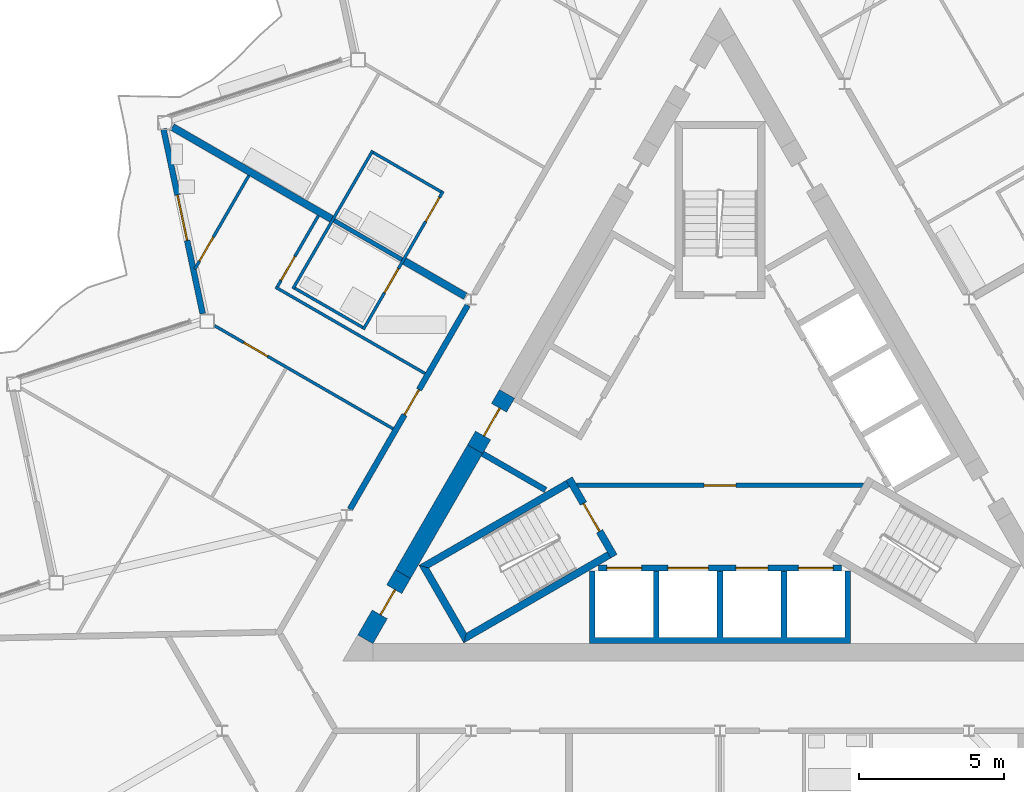
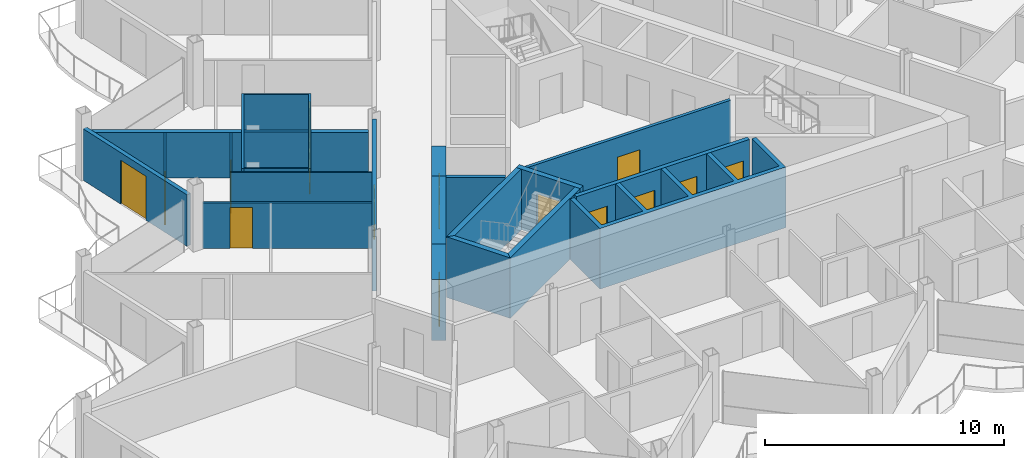
# One storey, part 13 of 25: 24 walls, 15 doors, 15 openings.
"""IFC4 building model written with IfcOpenShell, lengths in metres."""

import ifcopenshell
import ifcopenshell.guid

model = None  # the IFC model being written
_history = None  # IfcOwnerHistory: only IFC2X3 demands one
_inside = {}  # id of a spatial element -> (the spatial element, [elements in it])
_under = {}  # id of a project, library or spatial element -> (it, [spatial elements below it])
_declared = {}  # id of a project -> (the project, [libraries it declares])
_typed = {}  # id of a type object -> (the type object, [elements of that type])
_made_of = {}  # id of a material, layer set ... -> (it, [elements and type objects made of it])


def new_model(schema):
    """Start an empty IFC model of exactly this schema.

    Asked for "IFC4X3", IfcOpenShell would pick the latest addendum, in which some entities
    have other attributes; the version numbers below select the first issue.
    IFC2X3 requires an IfcOwnerHistory on every rooted entity: one is made here for all.
    """
    global model, _history
    if schema == "IFC4X3":
        model = ifcopenshell.file(schema_version=(4, 3, 0, 0))
    else:
        model = ifcopenshell.file(schema=schema)
    _inside.clear()
    _under.clear()
    _declared.clear()
    _typed.clear()
    _made_of.clear()
    _history = None
    if model.schema == "IFC2X3":
        org = make("IfcOrganization", Name="unknown")
        user = make(
            "IfcPersonAndOrganization",
            ThePerson=make("IfcPerson", FamilyName="unknown"),
            TheOrganization=org,
        )
        app = make(
            "IfcApplication",
            ApplicationDeveloper=org,
            Version="unknown",
            ApplicationFullName="unknown",
            ApplicationIdentifier="unknown",
        )
        _history = make(
            "IfcOwnerHistory",
            OwningUser=user,
            OwningApplication=app,
            ChangeAction="ADDED",
            CreationDate=0,
        )
    return model


def make(cls, **values):
    """One entity of the class cls with the attributes given. An attribute that is None is left unset."""
    return model.create_entity(
        cls, **{name: value for name, value in values.items() if value is not None}
    )


def rooted(cls, **values):
    """An entity with a GlobalId (a new one), such as an element, a storey or a relation."""
    return make(cls, GlobalId=ifcopenshell.guid.new(), OwnerHistory=_history, **values)


def si_unit(unit_type, name, prefix=None):
    """IfcSIUnit, for example si_unit("LENGTHUNIT", "METRE", prefix="MILLI")."""
    return make("IfcSIUnit", UnitType=unit_type, Prefix=prefix, Name=name)


def assignment(units):
    """IfcUnitAssignment: the units of a project."""
    return None if units is None else make("IfcUnitAssignment", Units=units)


def point(xyz):
    """IfcCartesianPoint."""
    return None if xyz is None else make("IfcCartesianPoint", Coordinates=xyz)


def direction(xyz):
    """IfcDirection."""
    return None if xyz is None else make("IfcDirection", DirectionRatios=xyz)


def frame(location, z_axis=None, x_axis=None):
    """IfcAxis2Placement3D, a coordinate frame: its origin and axes. An axis left out is left unset."""
    return make(
        "IfcAxis2Placement3D",
        Location=point(location),
        Axis=direction(z_axis),
        RefDirection=direction(x_axis),
    )


def frame_2d(location, x_axis=None):
    """IfcAxis2Placement2D, a coordinate frame in the plane: its origin and x axis."""
    return make(
        "IfcAxis2Placement2D", Location=point(location), RefDirection=direction(x_axis)
    )


def origin():
    """The frame at (0, 0, 0) with its axes left unset."""
    return frame((0.0, 0.0, 0.0))


def place(relative_to, where):
    """IfcLocalPlacement: puts the frame where relative to a parent placement (None: the world)."""
    return make(
        "IfcLocalPlacement", PlacementRelTo=relative_to, RelativePlacement=where
    )


def context(
    kind, dimensions, precision=None, world=None, true_north=None, identifier=None
):
    """IfcGeometricRepresentationContext, for example the 3D "Model" context."""
    return make(
        "IfcGeometricRepresentationContext",
        ContextIdentifier=identifier,
        ContextType=kind,
        CoordinateSpaceDimension=dimensions,
        Precision=precision,
        WorldCoordinateSystem=world,
        TrueNorth=true_north,
    )


def subcontext(parent, identifier, kind, view, scale=None):
    """IfcGeometricRepresentationSubContext, for example "Body" below "Model"."""
    return make(
        "IfcGeometricRepresentationSubContext",
        ContextIdentifier=identifier,
        ContextType=kind,
        ParentContext=parent,
        TargetScale=scale,
        TargetView=view,
    )


def project(units=None, contexts=None):
    """IfcProject with its units and contexts."""
    return rooted(
        "IfcProject",
        Name="project",
        RepresentationContexts=contexts,
        UnitsInContext=assignment(units),
    )


def spatial(cls, under=None, at=None, **own):
    """A site, building, storey or space (cls), placed at a placement, below another one or the project."""
    s = rooted(cls, ObjectPlacement=at, **own)
    if under is not None:
        _under.setdefault(under.id(), (under, []))[1].append(s)
    return s


def polyline(points):
    """IfcPolyline through the points."""
    return make("IfcPolyline", Points=[point(p) for p in points])


def profile(cls, at=None, kind="AREA", **sizes):
    """A parametric profile (cls). Its sizes go by their IFC names, for example OverallWidth=200.0."""
    return make(cls, ProfileType=kind, Position=at, **sizes)


def rectangle(**sizes):
    """IfcRectangleProfileDef."""
    return profile("IfcRectangleProfileDef", **sizes)


def outline(outer, holes=None, kind="AREA"):
    """IfcArbitraryClosedProfileDef: a profile drawn as a closed curve; with holes, ...WithVoids."""
    if holes is None:
        return make("IfcArbitraryClosedProfileDef", ProfileType=kind, OuterCurve=outer)
    return make(
        "IfcArbitraryProfileDefWithVoids",
        ProfileType=kind,
        OuterCurve=outer,
        InnerCurves=holes,
    )


def extrude(swept, where, along, depth):
    """IfcExtrudedAreaSolid: the profile swept, set in the frame where, extruded along a direction by depth."""
    return make(
        "IfcExtrudedAreaSolid",
        SweptArea=swept,
        Position=where,
        ExtrudedDirection=direction(along),
        Depth=depth,
    )


def shape(context_of_items, identifier, shape_type, items):
    """IfcShapeRepresentation: the items that make up one representation, for example the "Body"."""
    return make(
        "IfcShapeRepresentation",
        ContextOfItems=context_of_items,
        RepresentationIdentifier=identifier,
        RepresentationType=shape_type,
        Items=items,
    )


def material(Name=None, Category=None):
    """IfcMaterial."""
    return make("IfcMaterial", Name=Name, Category=Category)


def layer(
    of_material, thickness, ventilated=None, Name=None, Category=None, Priority=None
):
    """IfcMaterialLayer: one layer of a wall or slab, of a material (None: an air gap)."""
    return make(
        "IfcMaterialLayer",
        Material=of_material,
        LayerThickness=thickness,
        IsVentilated=ventilated,
        Name=Name,
        Category=Category,
        Priority=Priority,
    )


def layer_set(layers, Name=None):
    """IfcMaterialLayerSet."""
    return make("IfcMaterialLayerSet", MaterialLayers=layers, LayerSetName=Name)


def made_of(thing, what):
    """Note that an element or type object is made of a material, layer set ...; save() writes the relation."""
    if what is not None:
        _made_of.setdefault(what.id(), (what, []))[1].append(thing)
    return thing


def type_object(cls, material=None, **own):
    """A type object (cls), such as IfcWallType, which elements share."""
    return made_of(rooted(cls, **own), material)


def element(
    cls,
    number,
    at=None,
    inside=None,
    cuts=None,
    type_object=None,
    material=None,
    context=None,
    identifier="Body",
    shape_type=None,
    held_by="IfcProductDefinitionShape",
    body=None,
    shapes=None,
    **own,
):
    """One element of the class cls, such as IfcWall. Its Tag is "e" and its number.

    at: its placement. inside: the storey or other place that contains it. cuts: it is an
    opening in that element (IfcRelVoidsElement). A single representation is given by context,
    identifier, shape_type and body (its items); several are given by shapes. held_by: the class
    of the entity that holds the representations. save() writes the other relations.
    """
    e = rooted(cls, Tag="e%d" % number, ObjectPlacement=at, **own)
    if body is not None:
        shapes = [shape(context, identifier, shape_type, body)]
    if shapes is not None:
        e.Representation = make(held_by, Representations=shapes)
    if inside is not None:
        _inside.setdefault(inside.id(), (inside, []))[1].append(e)
    if cuts is not None:
        rooted(
            "IfcRelVoidsElement", RelatingBuildingElement=cuts, RelatedOpeningElement=e
        )
    if type_object is not None:
        _typed.setdefault(type_object.id(), (type_object, []))[1].append(e)
    return made_of(e, material)


def fill(opening, filler):
    """IfcRelFillsElement: the door or window that sits in an opening."""
    return rooted(
        "IfcRelFillsElement",
        RelatingOpeningElement=opening,
        RelatedBuildingElement=filler,
    )


def aggregate(whole, parts):
    """IfcRelAggregates: a whole, such as a stair, and the parts it consists of."""
    return rooted("IfcRelAggregates", RelatingObject=whole, RelatedObjects=parts)


def save(model, path):
    """Write the relations noted so far, then the file.

    IfcRelAggregates (storeys below a building ...), IfcRelContainedInSpatialStructure (elements
    in a storey), IfcRelDefinesByType, IfcRelAssociatesMaterial and IfcRelDeclares: one each for
    every whole, place, type object, material and project.
    """
    for whole, parts in _under.values():
        aggregate(whole, parts)
    for where, things in _inside.values():
        rooted(
            "IfcRelContainedInSpatialStructure",
            RelatedElements=things,
            RelatingStructure=where,
        )
    for kind, things in _typed.values():
        rooted("IfcRelDefinesByType", RelatedObjects=things, RelatingType=kind)
    for what, things in _made_of.values():
        rooted("IfcRelAssociatesMaterial", RelatedObjects=things, RelatingMaterial=what)
    for by, libraries in _declared.values():
        rooted("IfcRelDeclares", RelatingContext=by, RelatedDefinitions=libraries)
    model.write(path)


model = new_model("IFC4")

# Units and contexts
model_context = context("Model", 3, precision=1e-05, world=origin(), true_north=direction((0.0, 1.0)))
body_context = subcontext(model_context, "Body", "Model", "MODEL_VIEW")
ifc_project = project(units=[si_unit("LENGTHUNIT", "METRE"), si_unit("AREAUNIT", "SQUARE_METRE"), si_unit("VOLUMEUNIT", "CUBIC_METRE"), si_unit("PLANEANGLEUNIT", "RADIAN"), si_unit("MASSUNIT", "GRAM", prefix="KILO")], contexts=[model_context])

# Site, building, storey
site_placement = place(None, origin())
site = spatial("IfcSite", under=ifc_project, at=site_placement, CompositionType="ELEMENT")
building_placement = place(site_placement, origin())
building = spatial("IfcBuilding", under=site, at=building_placement, Name="Cormorant Prow Tower", CompositionType="ELEMENT")
storey_placement = place(building_placement, frame((0.0, 0.0, 395.0)))
storey = spatial("IfcBuildingStorey", under=building, at=storey_placement, Name="L90", CompositionType="ELEMENT", Elevation=395.0)

# Wall, opening, door
ifc_material_1 = material(Name="Gypsum board partition")
ifc_layer_1 = layer(ifc_material_1, 0.14990234375)
ifc_layer_set_1 = layer_set([ifc_layer_1], Name="Gypsum board partition")
wall_type_1 = type_object("IfcWallType", Name="Core partition 150", PredefinedType="PARTITIONING", material=ifc_layer_set_1)
wall_1_placement = place(storey_placement, frame((-4.941162109375, -1.449951171875, 0.0), z_axis=(0.0, 0.0, 1.0), x_axis=(1.0, 0.0, 0.0)))
wall_1 = element("IfcWall", 1, at=wall_1_placement, inside=storey, type_object=wall_type_1, Name="Firefighting lobby partition", PredefinedType="PARTITIONING", context=body_context, shape_type="SweptSolid", body=[
    extrude(rectangle(XDim=9.88232421875, YDim=0.14990234375, at=frame_2d((4.941162109375, 0.0))), origin(), (0.0, 0.0, 1.0), 3.10009765625),
])
opening_1_placement = place(wall_1_placement, frame((4.39111328125, 0.0, 0.0)))
opening_1 = element("IfcOpeningElement", 2, at=opening_1_placement, cuts=wall_1, Name="Opening L90-C11", PredefinedType="OPENING", context=body_context, shape_type="SweptSolid", body=[
    extrude(rectangle(XDim=1.10009765625, YDim=2.10009765625, at=frame_2d((0.550048828125, 1.050048828125))), frame((0.0, 0.0849609375, 0.0), z_axis=(0.0, -1.0, 0.0), x_axis=(1.0, 0.0, 0.0)), (0.0, 0.0, 1.0), 0.169921875),
])
ifc_material_2 = material(Name="Painted steel", Category="steel")
door_type_1 = type_object("IfcDoorType", Name="Firefighting lobby door 1100x2100", OperationType="NOTDEFINED", PredefinedType="DOOR", material=ifc_material_2)
door_1_placement = place(opening_1_placement, origin())
door_1 = element("IfcDoor", 3, at=door_1_placement, inside=storey, type_object=door_type_1, Name="Firefighting lobby door", OperationType="SINGLE_SWING_RIGHT", OverallHeight=2.10009765625, OverallWidth=1.10009765625, PredefinedType="DOOR", context=body_context, shape_type="SweptSolid", body=[
    extrude(rectangle(XDim=1.10009765625, YDim=2.10009765625, at=frame_2d((0.550048828125, 1.050048828125))), frame((0.0, 0.02490234375, 0.0), z_axis=(0.0, -1.0, 0.0), x_axis=(1.0, 0.0, 0.0)), (0.0, 0.0, 1.0), 0.050048828125),
])
fill(opening_1, door_1)

# Wall
ifc_material_3 = material(Name="Concrete 8000 psi", Category="concrete")
ifc_layer_2 = layer(ifc_material_3, 0.60009765625)
ifc_layer_set_2 = layer_set([ifc_layer_2], Name="Concrete 8000 psi")
wall_type_2 = type_object("IfcWallType", Name="Core shear wall 600", PredefinedType="SHEAR", material=ifc_layer_set_2)
wall_2_placement = place(storey_placement, frame((-8.440185546875, -0.207763671875, 0.0), z_axis=(0.0, 0.0, 1.0), x_axis=(-0.500007425856, -0.866021116422, 0.0)))
element("IfcWall", 4, at=wall_2_placement, inside=storey, type_object=wall_type_2, Name="Core wall", PredefinedType="SHEAR", context=body_context, shape_type="SweptSolid", body=[
    extrude(rectangle(XDim=4.96875, YDim=0.60009765625, at=frame_2d((2.484375, 0.0))), origin(), (0.0, 0.0, 1.0), 3.10009765625),
])

# Wall, opening, door
wall_3_placement = place(storey_placement, frame((-10.924560546875, -4.5107421875, 0.0), z_axis=(0.0, 0.0, 1.0), x_axis=(-0.500018667571, -0.866014625789, 0.0)))
wall_3 = element("IfcWall", 5, at=wall_3_placement, inside=storey, type_object=wall_type_2, Name="Core wall door panel", PredefinedType="SHEAR", context=body_context, shape_type="SweptSolid", body=[
    extrude(rectangle(XDim=2.59228515625, YDim=0.60009765625, at=frame_2d((1.296142578125, 0.0))), origin(), (0.0, 0.0, 1.0), 3.10009765625),
])
opening_2_placement = place(wall_3_placement, frame((0.60009765625, 0.0, 0.0)))
opening_2 = element("IfcOpeningElement", 6, at=opening_2_placement, cuts=wall_3, Name="Opening L90-C15", PredefinedType="OPENING", context=body_context, shape_type="SweptSolid", body=[
    extrude(rectangle(XDim=1.0, YDim=2.10009765625, at=frame_2d((0.5, 1.050048828125))), frame((0.0, 0.31005859375, 0.0), z_axis=(0.0, -1.0, 0.0), x_axis=(1.0, 0.0, 0.0)), (0.0, 0.0, 1.0), 0.6201171875),
])
ifc_material_4 = material(Name="Painted steel", Category="steel")
door_type_2 = type_object("IfcDoorType", Name="Service door 1000x2100", OperationType="NOTDEFINED", PredefinedType="DOOR", material=ifc_material_4)
door_2_placement = place(opening_2_placement, origin())
door_2 = element("IfcDoor", 7, at=door_2_placement, inside=storey, type_object=door_type_2, Name="Core door, Electrical room", OperationType="SINGLE_SWING_RIGHT", OverallHeight=2.10009765625, OverallWidth=1.0, PredefinedType="DOOR", context=body_context, shape_type="SweptSolid", body=[
    extrude(rectangle(XDim=1.0, YDim=2.10009765625, at=frame_2d((0.5, 1.050048828125))), frame((0.0, 0.05517578125, 0.0), z_axis=(0.0, -1.0, 0.0), x_axis=(1.0, 0.0, 0.0)), (0.0, 0.0, 1.0), 0.050048828125),
])
fill(opening_2, door_2)

wall_4_placement = place(storey_placement, frame((-7.340087890625, 1.697509765625, 0.0), z_axis=(0.0, 0.0, 1.0), x_axis=(-0.50002983664, -0.866008176907, 0.0)))
wall_4 = element("IfcWall", 8, at=wall_4_placement, inside=storey, type_object=wall_type_2, Name="Core wall door panel", PredefinedType="SHEAR", context=body_context, shape_type="SweptSolid", body=[
    extrude(rectangle(XDim=2.199951171875, YDim=0.60009765625, at=frame_2d((1.10009765625, 0.0))), origin(), (0.0, 0.0, 1.0), 3.10009765625),
])
opening_3_placement = place(wall_4_placement, frame((0.550048828125, 0.0, 0.0)))
opening_3 = element("IfcOpeningElement", 9, at=opening_3_placement, cuts=wall_4, Name="Opening L90-C20", PredefinedType="OPENING", context=body_context, shape_type="SweptSolid", body=[
    extrude(rectangle(XDim=1.10009765625, YDim=2.10009765625, at=frame_2d((0.550048828125, 1.050048828125))), frame((0.0, 0.31005859375, 0.0), z_axis=(0.0, -1.0, 0.0), x_axis=(1.0, 0.0, 0.0)), (0.0, 0.0, 1.0), 0.6201171875),
])
ifc_material_5 = material(Name="Painted steel", Category="steel")
door_type_3 = type_object("IfcDoorType", Name="Core door 1100x2100", OperationType="NOTDEFINED", PredefinedType="DOOR", material=ifc_material_5)
door_3_placement = place(opening_3_placement, origin())
door_3 = element("IfcDoor", 10, at=door_3_placement, inside=storey, type_object=door_type_3, Name="Core door, lift lobby", OperationType="SINGLE_SWING_RIGHT", OverallHeight=2.10009765625, OverallWidth=1.10009765625, PredefinedType="DOOR", context=body_context, shape_type="SweptSolid", body=[
    extrude(rectangle(XDim=1.10009765625, YDim=2.10009765625, at=frame_2d((0.550048828125, 1.050048828125))), frame((0.0, 0.05517578125, 0.0), z_axis=(0.0, -1.0, 0.0), x_axis=(1.0, 0.0, 0.0)), (0.0, 0.0, 1.0), 0.050048828125),
])
fill(opening_3, door_3)

ifc_material_6 = material(Name="Gypsum board corridor wall")
ifc_layer_3 = layer(ifc_material_6, 0.199951171875)
ifc_layer_set_3 = layer_set([ifc_layer_3], Name="Gypsum board corridor wall")
wall_type_3 = type_object("IfcWallType", Name="Corridor wall 200", PredefinedType="PARTITIONING", material=ifc_layer_set_3)
wall_5_placement = place(storey_placement, frame((-12.75390625, -2.279296875, 0.0), z_axis=(0.0, 0.0, 1.0), x_axis=(0.500001682468, 0.866024432409, 0.0)))
wall_5 = element("IfcWall", 11, at=wall_5_placement, inside=storey, type_object=wall_type_3, Name="Corridor wall", PredefinedType="PARTITIONING", context=body_context, shape_type="SweptSolid", body=[
    extrude(rectangle(XDim=8.12353515625, YDim=0.199951171875, at=frame_2d((4.061767578125, 0.0))), origin(), (0.0, 0.0, 1.0), 3.10009765625),
])
opening_4_placement = place(wall_5_placement, frame((3.762451171875, 0.0, 0.0)))
opening_4 = element("IfcOpeningElement", 12, at=opening_4_placement, cuts=wall_5, Name="Opening L90-F42", PredefinedType="OPENING", context=body_context, shape_type="SweptSolid", body=[
    extrude(rectangle(XDim=1.0, YDim=2.10009765625, at=frame_2d((0.5, 1.050048828125))), frame((0.0, 0.10986328125, 0.0), z_axis=(0.0, -1.0, 0.0), x_axis=(1.0, 0.0, 0.0)), (0.0, 0.0, 1.0), 0.219970703125),
])
ifc_material_7 = material(Name="Timber door leaf", Category="wood")
door_type_4 = type_object("IfcDoorType", Name="Flat or room entrance door 1000x2100", OperationType="NOTDEFINED", PredefinedType="DOOR", material=ifc_material_7)
door_4_placement = place(opening_4_placement, origin())
door_4 = element("IfcDoor", 13, at=door_4_placement, inside=storey, type_object=door_type_4, Name="Living room door", OperationType="SINGLE_SWING_RIGHT", OverallHeight=2.10009765625, OverallWidth=1.0, PredefinedType="DOOR", context=body_context, shape_type="SweptSolid", body=[
    extrude(rectangle(XDim=1.0, YDim=2.10009765625, at=frame_2d((0.5, 1.050048828125))), frame((0.0, 0.02490234375, 0.0), z_axis=(0.0, -1.0, 0.0), x_axis=(1.0, 0.0, 0.0)), (0.0, 0.0, 1.0), 0.050048828125),
])
fill(opening_4, door_4)

ifc_material_8 = material(Name="Gypsum board partition")
ifc_layer_4 = layer(ifc_material_8, 0.10009765625)
ifc_layer_set_4 = layer_set([ifc_layer_4], Name="Gypsum board partition")
wall_type_4 = type_object("IfcWallType", Name="Internal partition 100", PredefinedType="PARTITIONING", material=ifc_layer_set_4)
wall_6_placement = place(storey_placement, frame((-17.413818359375, 4.04931640625, 0.0), z_axis=(0.0, 0.0, 1.0), x_axis=(0.866033839264, -0.499985389037, 0.0)))
wall_6 = element("IfcWall", 14, at=wall_6_placement, inside=storey, type_object=wall_type_4, Name="Internal partition", PredefinedType="PARTITIONING", context=body_context, shape_type="SweptSolid", body=[
    extrude(rectangle(XDim=7.099853515625, YDim=0.10009765625, at=frame_2d((3.5498046875, 0.0))), origin(), (0.0, 0.0, 1.0), 2.330078125),
])
opening_5_placement = place(wall_6_placement, frame((1.157958984375, 0.0, 0.0)))
opening_5 = element("IfcOpeningElement", 15, at=opening_5_placement, cuts=wall_6, Name="Opening L90-F45", PredefinedType="OPENING", context=body_context, shape_type="SweptSolid", body=[
    extrude(rectangle(XDim=0.949951171875, YDim=2.10009765625, at=frame_2d((0.47509765625, 1.050048828125))), frame((0.0, 0.06005859375, 0.0), z_axis=(0.0, -1.0, 0.0), x_axis=(1.0, 0.0, 0.0)), (0.0, 0.0, 1.0), 0.1201171875),
])
ifc_material_9 = material(Name="Timber door leaf", Category="wood")
door_type_5 = type_object("IfcDoorType", Name="Bathroom door 950x2100", OperationType="NOTDEFINED", PredefinedType="DOOR", material=ifc_material_9)
door_5_placement = place(opening_5_placement, origin())
door_5 = element("IfcDoor", 16, at=door_5_placement, inside=storey, type_object=door_type_5, Name="Living room door", OperationType="SINGLE_SWING_RIGHT", OverallHeight=2.10009765625, OverallWidth=0.949951171875, PredefinedType="DOOR", context=body_context, shape_type="SweptSolid", body=[
    extrude(rectangle(XDim=0.949951171875, YDim=2.10009765625, at=frame_2d((0.47509765625, 1.050048828125))), frame((0.0, 0.02490234375, 0.0), z_axis=(0.0, -1.0, 0.0), x_axis=(1.0, 0.0, 0.0)), (0.0, 0.0, 1.0), 0.050048828125),
])
fill(opening_5, door_5)

# Walls
wall_7_placement = place(storey_placement, frame((-15.31787109375, 5.379638671875, 0.0), z_axis=(0.0, 0.0, 1.0), x_axis=(0.866035260786, -0.499982926783, 0.0)))
element("IfcWall", 17, at=wall_7_placement, inside=storey, type_object=wall_type_4, Name="Internal partition", PredefinedType="PARTITIONING", context=body_context, shape_type="SweptSolid", body=[
    extrude(rectangle(XDim=5.949951171875, YDim=0.10009765625, at=frame_2d((2.97509765625, 0.0))), origin(), (0.0, 0.0, 1.0), 2.330078125),
])
wall_8_placement = place(storey_placement, frame((-14.716552734375, 5.3212890625, 0.0), z_axis=(0.0, 0.0, 1.0), x_axis=(0.500015767406, 0.866016300277, 0.0)))
element("IfcWall", 18, at=wall_8_placement, inside=storey, type_object=wall_type_4, Name="Internal partition", PredefinedType="PARTITIONING", context=body_context, shape_type="SweptSolid", body=[
    extrude(rectangle(XDim=5.499755859375, YDim=0.10009765625, at=frame_2d((2.75, 0.0))), origin(), (0.0, 0.0, 1.0), 2.330078125),
])

# Wall, openings, doors
wall_9_placement = place(storey_placement, frame((-12.291748046875, 3.921142578125, 0.0), z_axis=(0.0, 0.0, 1.0), x_axis=(0.499996545922, 0.866027397988, 0.0)))
wall_9 = element("IfcWall", 19, at=wall_9_placement, inside=storey, type_object=wall_type_4, Name="Internal partition", PredefinedType="PARTITIONING", context=body_context, shape_type="SweptSolid", body=[
    extrude(rectangle(XDim=5.5, YDim=0.10009765625, at=frame_2d((2.75, 0.0))), origin(), (0.0, 0.0, 1.0), 2.330078125),
])
opening_6_placement = place(wall_9_placement, frame((4.300048828125, 0.0, 0.0)))
opening_6 = element("IfcOpeningElement", 20, at=opening_6_placement, cuts=wall_9, Name="Opening L90-F36", PredefinedType="OPENING", context=body_context, shape_type="SweptSolid", body=[
    extrude(rectangle(XDim=0.949951171875, YDim=2.10009765625, at=frame_2d((0.47509765625, 1.050048828125))), frame((0.0, 0.06005859375, 0.0), z_axis=(0.0, -1.0, 0.0), x_axis=(1.0, 0.0, 0.0)), (0.0, 0.0, 1.0), 0.1201171875),
])
opening_7_placement = place(wall_9_placement, frame((1.465087890625, 0.0, 0.0)))
opening_7 = element("IfcOpeningElement", 21, at=opening_7_placement, cuts=wall_9, Name="Opening L90-F49", PredefinedType="OPENING", context=body_context, shape_type="SweptSolid", body=[
    extrude(rectangle(XDim=0.949951171875, YDim=2.10009765625, at=frame_2d((0.47509765625, 1.050048828125))), frame((0.0, 0.06005859375, 0.0), z_axis=(0.0, -1.0, 0.0), x_axis=(1.0, 0.0, 0.0)), (0.0, 0.0, 1.0), 0.1201171875),
])
door_6_placement = place(opening_6_placement, origin())
door_6 = element("IfcDoor", 22, at=door_6_placement, inside=storey, type_object=door_type_5, Name="Living room door", OperationType="SINGLE_SWING_RIGHT", OverallHeight=2.10009765625, OverallWidth=0.949951171875, PredefinedType="DOOR", context=body_context, shape_type="SweptSolid", body=[
    extrude(rectangle(XDim=0.949951171875, YDim=2.10009765625, at=frame_2d((0.47509765625, 1.050048828125))), frame((0.0, 0.02490234375, 0.0), z_axis=(0.0, -1.0, 0.0), x_axis=(1.0, 0.0, 0.0)), (0.0, 0.0, 1.0), 0.050048828125),
])
fill(opening_6, door_6)
door_7_placement = place(opening_7_placement, origin())
door_7 = element("IfcDoor", 23, at=door_7_placement, inside=storey, type_object=door_type_5, Name="Kitchen door", OperationType="SINGLE_SWING_RIGHT", OverallHeight=2.10009765625, OverallWidth=0.949951171875, PredefinedType="DOOR", context=body_context, shape_type="SweptSolid", body=[
    extrude(rectangle(XDim=0.949951171875, YDim=2.10009765625, at=frame_2d((0.47509765625, 1.050048828125))), frame((0.0, 0.02490234375, 0.0), z_axis=(0.0, -1.0, 0.0), x_axis=(1.0, 0.0, 0.0)), (0.0, 0.0, 1.0), 0.050048828125),
])
fill(opening_7, door_7)

# Wall, opening, door
wall_10_placement = place(storey_placement, frame((-18.09619140625, 6.00048828125, 0.0), z_axis=(0.0, 0.0, 1.0), x_axis=(0.500000333706, 0.866025211119, 0.0)))
wall_10 = element("IfcWall", 24, at=wall_10_placement, inside=storey, type_object=wall_type_4, Name="Internal partition", PredefinedType="PARTITIONING", context=body_context, shape_type="SweptSolid", body=[
    extrude(rectangle(XDim=3.7265625, YDim=0.10009765625, at=frame_2d((1.86328125, 0.0))), origin(), (0.0, 0.0, 1.0), 2.330078125),
])
opening_8_placement = place(wall_10_placement, frame((0.32080078125, 0.0, 0.0)))
opening_8 = element("IfcOpeningElement", 25, at=opening_8_placement, cuts=wall_10, Name="Opening L90-F43", PredefinedType="OPENING", context=body_context, shape_type="SweptSolid", body=[
    extrude(rectangle(XDim=0.949951171875, YDim=2.10009765625, at=frame_2d((0.47509765625, 1.050048828125))), frame((0.0, 0.06005859375, 0.0), z_axis=(0.0, -1.0, 0.0), x_axis=(1.0, 0.0, 0.0)), (0.0, 0.0, 1.0), 0.1201171875),
])
door_8_placement = place(opening_8_placement, origin())
door_8 = element("IfcDoor", 26, at=door_8_placement, inside=storey, type_object=door_type_5, Name="Living room door", OperationType="SINGLE_SWING_LEFT", OverallHeight=2.10009765625, OverallWidth=0.949951171875, PredefinedType="DOOR", context=body_context, shape_type="SweptSolid", body=[
    extrude(rectangle(XDim=0.949951171875, YDim=2.10009765625, at=frame_2d((0.47509765625, 1.050048828125))), frame((0.0, 0.02490234375, 0.0), z_axis=(0.0, -1.0, 0.0), x_axis=(1.0, 0.0, 0.0)), (0.0, 0.0, 1.0), 0.050048828125),
])
fill(opening_8, door_8)

wall_11_placement = place(storey_placement, frame((-15.24951171875, 5.39794921875, 0.0), z_axis=(0.0, 0.0, 1.0), x_axis=(0.499959355765, 0.866048868473, 0.0)))
wall_11 = element("IfcWall", 27, at=wall_11_placement, inside=storey, type_object=wall_type_4, Name="Internal partition", PredefinedType="PARTITIONING", context=body_context, shape_type="SweptSolid", body=[
    extrude(rectangle(XDim=2.824951171875, YDim=0.10009765625, at=frame_2d((1.41259765625, 0.0))), origin(), (0.0, 0.0, 1.0), 2.330078125),
])
opening_9_placement = place(wall_11_placement, frame((0.25, 0.0, 0.0)))
opening_9 = element("IfcOpeningElement", 28, at=opening_9_placement, cuts=wall_11, Name="Opening L90-F44", PredefinedType="OPENING", context=body_context, shape_type="SweptSolid", body=[
    extrude(rectangle(XDim=0.949951171875, YDim=2.10009765625, at=frame_2d((0.47509765625, 1.050048828125))), frame((0.0, 0.06005859375, 0.0), z_axis=(0.0, -1.0, 0.0), x_axis=(1.0, 0.0, 0.0)), (0.0, 0.0, 1.0), 0.1201171875),
])
door_9_placement = place(opening_9_placement, origin())
door_9 = element("IfcDoor", 29, at=door_9_placement, inside=storey, type_object=door_type_5, Name="Living room door", OperationType="SINGLE_SWING_LEFT", OverallHeight=2.10009765625, OverallWidth=0.949951171875, PredefinedType="DOOR", context=body_context, shape_type="SweptSolid", body=[
    extrude(rectangle(XDim=0.949951171875, YDim=2.10009765625, at=frame_2d((0.47509765625, 1.050048828125))), frame((0.0, 0.02490234375, 0.0), z_axis=(0.0, -1.0, 0.0), x_axis=(1.0, 0.0, 0.0)), (0.0, 0.0, 1.0), 0.050048828125),
])
fill(opening_9, door_9)

# Walls
for number, where, z_axis, x_axis, name in (
    (30, (-11.9482421875, 10.01611328125, 0.0), (0.0, 0.0, 1.0), (0.86599734893, -0.500048589285, 0.0), "Internal partition"),
    (31, (-14.648193359375, 5.339599609375, 0.0), (0.0, 0.0, 1.0), (0.86599734893, -0.500048589285, 0.0), "Internal partition"),
):
    element("IfcWall", number, at=place(storey_placement, frame(where, z_axis=z_axis, x_axis=x_axis)), inside=storey, type_object=wall_type_4, Name=name, PredefinedType="PARTITIONING", context=body_context, shape_type="SweptSolid", body=[
        extrude(rectangle(XDim=2.699951171875, YDim=0.10009765625, at=frame_2d((1.35009765625, 0.0))), origin(), (0.0, 0.0, 1.0), 2.330078125),
    ])

# Wall, openings, doors
ifc_material_10 = material(Name="Concrete 5000 psi", Category="concrete")
ifc_layer_5 = layer(ifc_material_10, 0.199951171875)
ifc_layer_set_5 = layer_set([ifc_layer_5], Name="Concrete 5000 psi")
wall_type_5 = type_object("IfcWallType", Name="Lift lobby wall 200", PredefinedType="SOLIDWALL", material=ifc_layer_set_5)
wall_12_placement = place(storey_placement, frame((-4.1865234375, -4.300048828125, 0.0), z_axis=(0.0, 0.0, 1.0), x_axis=(1.0, 0.0, 0.0)))
wall_12 = element("IfcWall", 32, at=wall_12_placement, inside=storey, type_object=wall_type_5, Name="Lift lobby wall, S block", PredefinedType="SOLIDWALL", context=body_context, shape_type="SweptSolid", body=[
    extrude(rectangle(XDim=8.373046875, YDim=0.199951171875, at=frame_2d((4.1865234375, 0.0))), origin(), (0.0, 0.0, 1.0), 3.10009765625),
])
opening_10_placement = place(wall_12_placement, frame((0.28662109375, 0.0, 0.0)))
opening_10 = element("IfcOpeningElement", 33, at=opening_10_placement, cuts=wall_12, Name="Opening L90-C01", PredefinedType="OPENING", context=body_context, shape_type="SweptSolid", body=[
    extrude(rectangle(XDim=1.199951171875, YDim=2.10009765625, at=frame_2d((0.60009765625, 1.050048828125))), frame((0.0, 0.10986328125, 0.0), z_axis=(0.0, -1.0, 0.0), x_axis=(1.0, 0.0, 0.0)), (0.0, 0.0, 1.0), 0.219970703125),
])
opening_11_placement = place(wall_12_placement, frame((2.38671875, 0.0, 0.0)))
opening_11 = element("IfcOpeningElement", 34, at=opening_11_placement, cuts=wall_12, Name="Opening L90-C02", PredefinedType="OPENING", context=body_context, shape_type="SweptSolid", body=[
    extrude(rectangle(XDim=1.39990234375, YDim=2.10009765625, at=frame_2d((0.699951171875, 1.050048828125))), frame((0.0, 0.10986328125, 0.0), z_axis=(0.0, -1.0, 0.0), x_axis=(1.0, 0.0, 0.0)), (0.0, 0.0, 1.0), 0.219970703125),
])
opening_12_placement = place(wall_12_placement, frame((4.736572265625, 0.0, 0.0)))
opening_12 = element("IfcOpeningElement", 35, at=opening_12_placement, cuts=wall_12, Name="Opening L90-C03", PredefinedType="OPENING", context=body_context, shape_type="SweptSolid", body=[
    extrude(rectangle(XDim=1.10009765625, YDim=2.10009765625, at=frame_2d((0.550048828125, 1.050048828125))), frame((0.0, 0.10986328125, 0.0), z_axis=(0.0, -1.0, 0.0), x_axis=(1.0, 0.0, 0.0)), (0.0, 0.0, 1.0), 0.219970703125),
])
opening_13_placement = place(wall_12_placement, frame((6.88671875, 0.0, 0.0)))
opening_13 = element("IfcOpeningElement", 36, at=opening_13_placement, cuts=wall_12, Name="Opening L90-C04", PredefinedType="OPENING", context=body_context, shape_type="SweptSolid", body=[
    extrude(rectangle(XDim=1.199951171875, YDim=2.10009765625, at=frame_2d((0.60009765625, 1.050048828125))), frame((0.0, 0.10986328125, 0.0), z_axis=(0.0, -1.0, 0.0), x_axis=(1.0, 0.0, 0.0)), (0.0, 0.0, 1.0), 0.219970703125),
])
ifc_material_11 = material(Name="Painted steel", Category="steel")
door_type_6 = type_object("IfcDoorType", Name="Firefighting lift landing door 1200x2100", OperationType="SLIDING_TO_LEFT", PredefinedType="DOOR", material=ifc_material_11)
door_10_placement = place(opening_10_placement, origin())
door_10 = element("IfcDoor", 37, at=door_10_placement, inside=storey, type_object=door_type_6, Name="Landing door FL1", OperationType="SLIDING_TO_LEFT", OverallHeight=2.10009765625, OverallWidth=1.199951171875, PredefinedType="DOOR", context=body_context, shape_type="SweptSolid", body=[
    extrude(rectangle(XDim=1.199951171875, YDim=2.10009765625, at=frame_2d((0.60009765625, 1.050048828125))), frame((0.0, 0.02490234375, 0.0), z_axis=(0.0, -1.0, 0.0), x_axis=(1.0, 0.0, 0.0)), (0.0, 0.0, 1.0), 0.050048828125),
])
fill(opening_10, door_10)
door_11_placement = place(opening_13_placement, origin())
door_11 = element("IfcDoor", 38, at=door_11_placement, inside=storey, type_object=door_type_6, Name="Landing door FL2", OperationType="SLIDING_TO_LEFT", OverallHeight=2.10009765625, OverallWidth=1.199951171875, PredefinedType="DOOR", context=body_context, shape_type="SweptSolid", body=[
    extrude(rectangle(XDim=1.199951171875, YDim=2.10009765625, at=frame_2d((0.60009765625, 1.050048828125))), frame((0.0, 0.02490234375, 0.0), z_axis=(0.0, -1.0, 0.0), x_axis=(1.0, 0.0, 0.0)), (0.0, 0.0, 1.0), 0.050048828125),
])
fill(opening_13, door_11)
ifc_material_12 = material(Name="Painted steel", Category="steel")
door_type_7 = type_object("IfcDoorType", Name="Lift landing door 1100x2100", OperationType="SLIDING_TO_LEFT", PredefinedType="DOOR", material=ifc_material_12)
door_12_placement = place(opening_12_placement, origin())
door_12 = element("IfcDoor", 39, at=door_12_placement, inside=storey, type_object=door_type_7, Name="Landing door HR1", OperationType="SLIDING_TO_LEFT", OverallHeight=2.10009765625, OverallWidth=1.10009765625, PredefinedType="DOOR", context=body_context, shape_type="SweptSolid", body=[
    extrude(rectangle(XDim=1.10009765625, YDim=2.10009765625, at=frame_2d((0.550048828125, 1.050048828125))), frame((0.0, 0.02490234375, 0.0), z_axis=(0.0, -1.0, 0.0), x_axis=(1.0, 0.0, 0.0)), (0.0, 0.0, 1.0), 0.050048828125),
])
fill(opening_12, door_12)
ifc_material_13 = material(Name="Painted steel", Category="steel")
door_type_8 = type_object("IfcDoorType", Name="Service lift landing door 1400x2100", OperationType="SLIDING_TO_LEFT", PredefinedType="DOOR", material=ifc_material_13)
door_13_placement = place(opening_11_placement, origin())
door_13 = element("IfcDoor", 40, at=door_13_placement, inside=storey, type_object=door_type_8, Name="Landing door SL1", OperationType="SLIDING_TO_LEFT", OverallHeight=2.10009765625, OverallWidth=1.39990234375, PredefinedType="DOOR", context=body_context, shape_type="SweptSolid", body=[
    extrude(rectangle(XDim=1.39990234375, YDim=2.10009765625, at=frame_2d((0.699951171875, 1.050048828125))), frame((0.0, 0.02490234375, 0.0), z_axis=(0.0, -1.0, 0.0), x_axis=(1.0, 0.0, 0.0)), (0.0, 0.0, 1.0), 0.050048828125),
])
fill(opening_11, door_13)

# Walls
ifc_material_14 = material(Name="Concrete 8000 psi", Category="concrete")
ifc_layer_6 = layer(ifc_material_14, 0.199951171875)
ifc_layer_set_6 = layer_set([ifc_layer_6], Name="Concrete 8000 psi")
wall_type_6 = type_object("IfcWallType", Name="Lift shaft wall 200", PredefinedType="SHEAR", material=ifc_layer_set_6)
wall_13_placement = place(storey_placement, origin())
element("IfcWall", 41, at=wall_13_placement, inside=storey, type_object=wall_type_6, Name="Lift shaft walls, S block", PredefinedType="SHEAR", context=body_context, shape_type="SweptSolid", body=[
    extrude(outline(polyline([(4.5, -4.39990234375), (4.5, -6.906005859375), (-4.5, -6.906005859375), (-4.5, -4.39990234375), (-4.300048828125, -4.39990234375), (-4.300048828125, -6.699951171875), (-2.300048828125, -6.699951171875), (-2.300048828125, -4.39990234375), (-2.10009765625, -4.39990234375), (-2.10009765625, -6.699951171875), (-0.10009765625, -6.699951171875), (-0.10009765625, -4.39990234375), (0.10009765625, -4.39990234375), (0.10009765625, -6.699951171875), (2.10009765625, -6.699951171875), (2.10009765625, -4.39990234375), (2.300048828125, -4.39990234375), (2.300048828125, -6.699951171875), (4.300048828125, -6.699951171875), (4.300048828125, -4.39990234375), (4.5, -4.39990234375)])), origin(), (0.0, 0.0, 1.0), 3.10009765625),
])
wall_14_placement = place(storey_placement, origin())
element("IfcWall", 42, at=wall_14_placement, inside=storey, type_object=wall_type_6, Name="Lift shaft walls, WNW block", PredefinedType="SHEAR", context=body_context, shape_type="SweptSolid", body=[
    extrude(outline(polyline([(-6.060546875, -1.697021484375), (-8.230712890625, -0.444091796875), (-8.130859375, -0.27099609375), (-5.96044921875, -1.52392578125), (-6.060546875, -1.697021484375)])), origin(), (0.0, 0.0, 1.0), 3.10009765625),
])
ifc_material_15 = material(Name="Concrete 8000 psi", Category="concrete")
ifc_layer_7 = layer(ifc_material_15, 0.25)
ifc_layer_set_7 = layer_set([ifc_layer_7], Name="Concrete 8000 psi")
wall_type_7 = type_object("IfcWallType", Name="Stair wall 250", PredefinedType="SHEAR", material=ifc_layer_set_7)
wall_15_placement = place(storey_placement, origin())
element("IfcWall", 43, at=wall_15_placement, inside=storey, type_object=wall_type_7, Name="Stair ST1 enclosure wall (flank)", PredefinedType="SHEAR", context=body_context, shape_type="SweptSolid", body=[
    extrude(outline(polyline([(-5.30712890625, -1.28125), (-10.37353515625, -4.206298828125), (-10.031982421875, -4.2978515625), (-5.18212890625, -1.497802734375), (-5.30712890625, -1.28125)])), origin(), (0.0, 0.0, 1.0), 3.10009765625),
])
wall_16_placement = place(storey_placement, origin())
element("IfcWall", 44, at=wall_16_placement, inside=storey, type_object=wall_type_7, Name="Stair ST1 enclosure wall (end)", PredefinedType="SHEAR", context=body_context, shape_type="SweptSolid", body=[
    extrude(outline(polyline([(-10.37353515625, -4.206298828125), (-8.82958984375, -6.880615234375), (-8.738037109375, -6.5390625), (-10.031982421875, -4.2978515625), (-10.37353515625, -4.206298828125)])), origin(), (0.0, 0.0, 1.0), 3.10009765625),
])
wall_17_placement = place(storey_placement, origin())
element("IfcWall", 45, at=wall_17_placement, inside=storey, type_object=wall_type_7, Name="Stair ST1 enclosure wall (flank)", PredefinedType="SHEAR", context=body_context, shape_type="SweptSolid", body=[
    extrude(outline(polyline([(-8.738037109375, -6.5390625), (-8.82958984375, -6.880615234375), (-3.76318359375, -3.95556640625), (-3.88818359375, -3.739013671875), (-8.738037109375, -6.5390625)])), origin(), (0.0, 0.0, 1.0), 3.10009765625),
])

# Wall, opening, door
wall_18_placement = place(storey_placement, frame((-5.198974609375, -1.21875, 0.0), z_axis=(0.0, 0.0, 1.0), x_axis=(0.499982516597, -0.866035497597, 0.0)))
wall_18 = element("IfcWall", 46, at=wall_18_placement, inside=storey, type_object=wall_type_7, Name="Stair ST1 door wall", PredefinedType="SHEAR", context=body_context, shape_type="SweptSolid", body=[
    extrude(rectangle(XDim=3.087890625, YDim=0.25, at=frame_2d((1.5439453125, 0.0))), origin(), (0.0, 0.0, 1.0), 3.10009765625),
])
opening_14_placement = place(wall_18_placement, frame((0.993896484375, 0.0, 0.0)))
opening_14 = element("IfcOpeningElement", 47, at=opening_14_placement, cuts=wall_18, Name="Opening L90-C12", PredefinedType="OPENING", context=body_context, shape_type="SweptSolid", body=[
    extrude(rectangle(XDim=1.10009765625, YDim=2.10009765625, at=frame_2d((0.550048828125, 1.050048828125))), frame((0.0, 0.135009765625, 0.0), z_axis=(0.0, -1.0, 0.0), x_axis=(1.0, 0.0, 0.0)), (0.0, 0.0, 1.0), 0.27001953125),
])
ifc_material_16 = material(Name="Painted steel", Category="steel")
door_type_9 = type_object("IfcDoorType", Name="Stair door 1100x2100", OperationType="NOTDEFINED", PredefinedType="DOOR", material=ifc_material_16)
door_14_placement = place(opening_14_placement, origin())
door_14 = element("IfcDoor", 48, at=door_14_placement, inside=storey, type_object=door_type_9, Name="Stair ST1 door", OperationType="SINGLE_SWING_LEFT", OverallHeight=2.10009765625, OverallWidth=1.10009765625, PredefinedType="DOOR", context=body_context, shape_type="SweptSolid", body=[
    extrude(rectangle(XDim=1.10009765625, YDim=2.10009765625, at=frame_2d((0.550048828125, 1.050048828125))), frame((0.0, 0.02490234375, 0.0), z_axis=(0.0, -1.0, 0.0), x_axis=(1.0, 0.0, 0.0)), (0.0, 0.0, 1.0), 0.050048828125),
])
fill(opening_14, door_14)

# Walls
ifc_material_17 = material(Name="Acoustic gypsum party wall")
ifc_layer_8 = layer(ifc_material_17, 0.25)
ifc_layer_set_8 = layer_set([ifc_layer_8], Name="Acoustic gypsum party wall")
wall_type_8 = type_object("IfcWallType", Name="Suite party wall 250", PredefinedType="PARTITIONING", material=ifc_layer_set_8)
wall_19_placement = place(storey_placement, frame((-18.86865234375, 10.893798828125, 0.0), z_axis=(0.0, 0.0, 1.0), x_axis=(0.866023139795, -0.500003921324, 0.0)))
element("IfcWall", 49, at=wall_19_placement, inside=storey, type_object=wall_type_8, Name="Suite party wall", PredefinedType="PARTITIONING", context=body_context, shape_type="SweptSolid", body=[
    extrude(rectangle(XDim=6.33203125, YDim=0.25, at=frame_2d((3.166015625, 0.0))), origin(), (0.0, 0.0, 1.0), 2.330078125),
])
wall_20_placement = place(storey_placement, frame((-10.873291015625, 6.27783203125, 0.0), z_axis=(0.0, 0.0, 1.0), x_axis=(0.865989219354, -0.500062668036, 0.0)))
element("IfcWall", 50, at=wall_20_placement, inside=storey, type_object=wall_type_8, Name="Suite party wall", PredefinedType="PARTITIONING", context=body_context, shape_type="SweptSolid", body=[
    extrude(rectangle(XDim=2.422607421875, YDim=0.25, at=frame_2d((1.21142578125, 0.0))), origin(), (0.0, 0.0, 1.0), 2.330078125),
])

# Wall, opening, door
ifc_material_18 = material(Name="Terracotta", Category="masonry")
ifc_layer_9 = layer(ifc_material_18, 0.199951171875)
ifc_layer_set_9 = layer_set([ifc_layer_9], Name="Terracotta")
wall_type_9 = type_object("IfcWallType", Name="Terracotta jamb wall 200", PredefinedType="SOLIDWALL", material=ifc_layer_set_9)
wall_21_placement = place(storey_placement, frame((-19.178955078125, 10.836181640625, 0.0), z_axis=(0.0, 0.0, 1.0), x_axis=(0.207910765171, -0.978147797486, 0.0)))
wall_21 = element("IfcWall", 51, at=wall_21_placement, inside=storey, type_object=wall_type_9, Name="Terracotta jamb wall WNW05", PredefinedType="SOLIDWALL", context=body_context, shape_type="SweptSolid", body=[
    extrude(rectangle(XDim=6.512451171875, YDim=0.199951171875, at=frame_2d((3.25634765625, 0.0))), origin(), (0.0, 0.0, 1.0), 2.6337890625),
])
opening_15_placement = place(wall_21_placement, frame((2.332763671875, 0.0, 0.0)))
opening_15 = element("IfcOpeningElement", 52, at=opening_15_placement, cuts=wall_21, Name="Opening ED90.13", PredefinedType="OPENING", context=body_context, shape_type="SweptSolid", body=[
    extrude(rectangle(XDim=1.60009765625, YDim=2.25, at=frame_2d((0.800048828125, 1.125))), frame((0.0, 0.10986328125, 0.0), z_axis=(0.0, -1.0, 0.0), x_axis=(1.0, 0.0, 0.0)), (0.0, 0.0, 1.0), 0.219970703125),
])
ifc_material_19 = material(Name="Aluminium 6063-T6", Category="aluminium")
door_type_10 = type_object("IfcDoorType", Name="Balcony door 1600x2250", OperationType="DOUBLE_DOOR_SINGLE_SWING", PredefinedType="DOOR", material=ifc_material_19)
door_15_placement = place(opening_15_placement, origin())
door_15 = element("IfcDoor", 53, at=door_15_placement, inside=storey, type_object=door_type_10, Name="Balcony door WNW05 ED90.13", OperationType="DOUBLE_DOOR_SINGLE_SWING", OverallHeight=2.25, OverallWidth=1.60009765625, PredefinedType="DOOR", context=body_context, shape_type="SweptSolid", body=[
    extrude(rectangle(XDim=1.60009765625, YDim=2.25, at=frame_2d((0.800048828125, 1.125))), frame((0.0, 0.02490234375, 0.0), z_axis=(0.0, -1.0, 0.0), x_axis=(1.0, 0.0, 0.0)), (0.0, 0.0, 1.0), 0.050048828125),
])
fill(opening_15, door_15)

# Wall
ifc_material_20 = material(Name="Plasterboard wet wall with pipe chase")
ifc_layer_10 = layer(ifc_material_20, 0.14990234375)
ifc_layer_set_10 = layer_set([ifc_layer_10], Name="Plasterboard wet wall with pipe chase")
wall_type_10 = type_object("IfcWallType", Name="Wet wall 150", PredefinedType="PLUMBINGWALL", material=ifc_layer_set_10)
wall_22_placement = place(storey_placement, frame((-13.29833984375, 7.677734375, 0.0), z_axis=(0.0, 0.0, 1.0), x_axis=(0.866059108428, -0.4999416173, 0.0)))
element("IfcWall", 54, at=wall_22_placement, inside=storey, type_object=wall_type_10, Name="Wet wall", PredefinedType="PLUMBINGWALL", context=body_context, shape_type="SweptSolid", body=[
    extrude(rectangle(XDim=2.699951171875, YDim=0.14990234375, at=frame_2d((1.35009765625, 0.0))), origin(), (0.0, 0.0, 1.0), 2.330078125),
])

save(model, "model.ifc")
